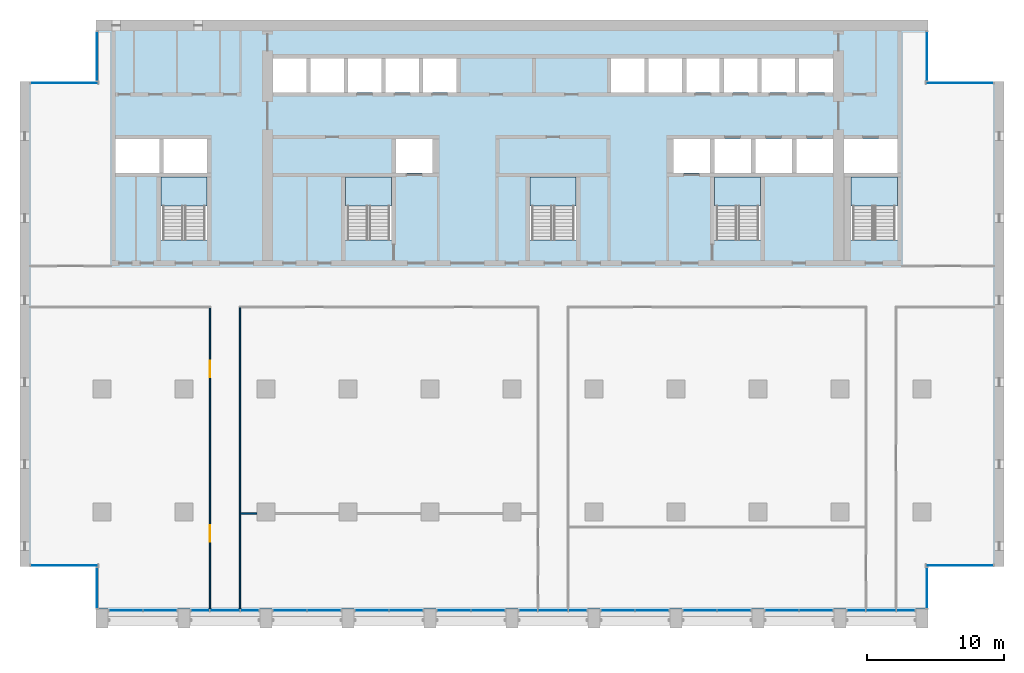
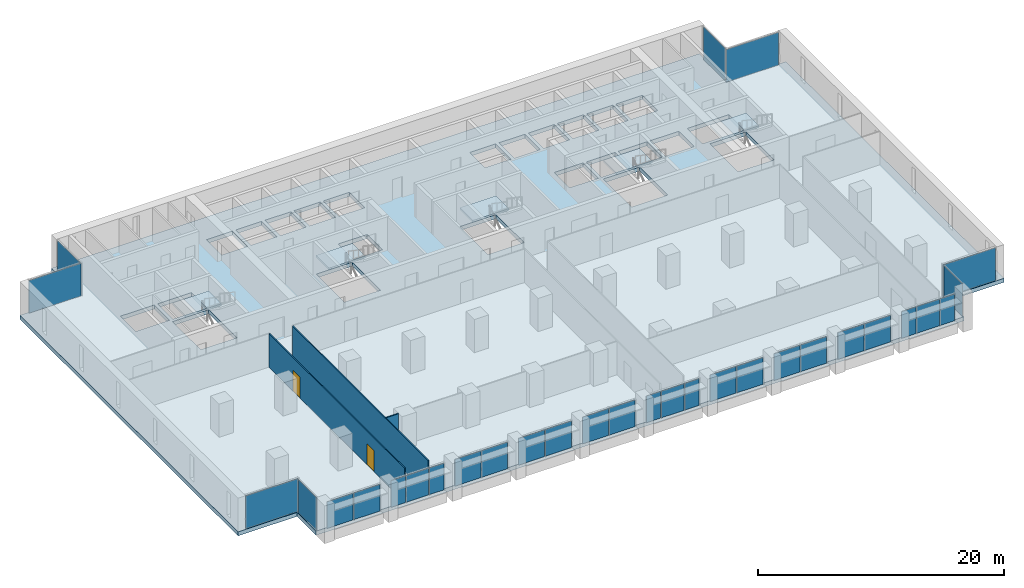
# One storey, part 7 of 15: 31 plates, 6 slabs, 3 walls, 2 doors, 2 openings, 23 elements without a shape of their own.
"""IFC4 building model written with IfcOpenShell, lengths in metres."""

from ifc_helpers import new_model, si_unit, direction, frame, frame_2d, origin, origin_2d, place, context, subcontext, project, spatial, polyline, rectangle, outline, extrude, material, layer, layer_set, type_object, element, fill, aggregate, save


model = new_model("IFC4")

# Units and contexts
model_context = context("Model", 3, precision=1e-05, world=origin(), true_north=direction((0.0, 1.0)))
body_context = subcontext(model_context, "Body", "Model", "MODEL_VIEW")
ifc_project = project(units=[si_unit("LENGTHUNIT", "METRE"), si_unit("AREAUNIT", "SQUARE_METRE"), si_unit("VOLUMEUNIT", "CUBIC_METRE"), si_unit("PLANEANGLEUNIT", "RADIAN"), si_unit("MASSUNIT", "GRAM", prefix="KILO")], contexts=[model_context])

# Site, building, storey
site_placement = place(None, origin())
site = spatial("IfcSite", under=ifc_project, at=site_placement, CompositionType="ELEMENT")
building_placement = place(site_placement, origin())
building = spatial("IfcBuilding", under=site, at=building_placement, Name="Calvaro Tower", CompositionType="ELEMENT")
storey_placement = place(building_placement, frame((0.0, 0.0, 117.5)))
storey = spatial("IfcBuildingStorey", under=building, at=storey_placement, Name="L29", CompositionType="ELEMENT", Elevation=117.5)

# Slab
ifc_material_1 = material(Name="Concrete C40/50", Category="concrete")
ifc_layer_1 = layer(ifc_material_1, 0.39990234375)
ifc_layer_set_1 = layer_set([ifc_layer_1], Name="Concrete C40/50")
slab_type_1 = type_object("IfcSlabType", Name="Floor slab 400 C40/50", PredefinedType="FLOOR", material=ifc_layer_set_1)
slab_1_placement = place(storey_placement, frame((0.0, 0.0, -0.39990234375)))
element("IfcSlab", 1, at=slab_1_placement, inside=storey, type_object=slab_type_1, Name="Floor slab", PredefinedType="FLOOR", context=body_context, shape_type="SweptSolid", body=[
    extrude(outline(polyline([(66.449951171875, 6.0), (66.449951171875, 2.89990234375), (5.550048828125, 2.89990234375), (5.550048828125, 6.0), (0.0, 6.0), (0.0, 41.5), (5.550048828125, 41.5), (5.550048828125, 46.0), (66.449951171875, 46.0), (66.449951171875, 41.5), (72.0, 41.5), (72.0, 6.0), (66.449951171875, 6.0)]), holes=[polyline([(10.300048828125, 29.909912109375), (10.300048828125, 34.5), (12.0, 34.5), (13.699951171875, 34.5), (13.699951171875, 29.909912109375), (12.0, 29.909912109375), (10.300048828125, 29.909912109375)]), polyline([(23.800048828125, 29.909912109375), (23.800048828125, 34.5), (25.5, 34.5), (27.199951171875, 34.5), (27.199951171875, 29.909912109375), (25.5, 29.909912109375), (23.800048828125, 29.909912109375)]), polyline([(37.300048828125, 29.909912109375), (37.300048828125, 34.5), (39.0, 34.5), (40.699951171875, 34.5), (40.699951171875, 29.909912109375), (39.0, 29.909912109375), (37.300048828125, 29.909912109375)]), polyline([(50.800048828125, 29.909912109375), (50.800048828125, 34.5), (52.5, 34.5), (54.199951171875, 34.5), (54.199951171875, 29.909912109375), (52.5, 29.909912109375), (50.800048828125, 29.909912109375)]), polyline([(60.800048828125, 29.909912109375), (60.800048828125, 34.5), (62.5, 34.5), (64.199951171875, 34.5), (64.199951171875, 29.909912109375), (62.5, 29.909912109375), (60.800048828125, 29.909912109375)]), polyline([(50.800048828125, 34.800048828125), (53.5, 34.800048828125), (53.5, 37.300048828125), (50.800048828125, 37.300048828125), (50.800048828125, 34.800048828125)]), polyline([(53.800048828125, 34.800048828125), (56.5, 34.800048828125), (56.5, 37.300048828125), (53.800048828125, 37.300048828125), (53.800048828125, 34.800048828125)]), polyline([(56.800048828125, 34.800048828125), (59.5, 34.800048828125), (59.5, 37.300048828125), (56.800048828125, 37.300048828125), (56.800048828125, 34.800048828125)]), polyline([(18.5, 40.699951171875), (20.949951171875, 40.699951171875), (20.949951171875, 43.199951171875), (18.5, 43.199951171875), (18.5, 40.699951171875)]), polyline([(21.25, 40.699951171875), (23.699951171875, 40.699951171875), (23.699951171875, 43.199951171875), (21.25, 43.199951171875), (21.25, 40.699951171875)]), polyline([(24.0, 40.699951171875), (26.449951171875, 40.699951171875), (26.449951171875, 43.199951171875), (24.0, 43.199951171875), (24.0, 40.699951171875)]), polyline([(26.75, 40.699951171875), (29.199951171875, 40.699951171875), (29.199951171875, 43.199951171875), (26.75, 43.199951171875), (26.75, 40.699951171875)]), polyline([(29.5, 40.699951171875), (31.949951171875, 40.699951171875), (31.949951171875, 43.199951171875), (29.5, 43.199951171875), (29.5, 40.699951171875)]), polyline([(43.25, 40.699951171875), (45.699951171875, 40.699951171875), (45.699951171875, 43.199951171875), (43.25, 43.199951171875), (43.25, 40.699951171875)]), polyline([(46.0, 40.699951171875), (48.449951171875, 40.699951171875), (48.449951171875, 43.199951171875), (46.0, 43.199951171875), (46.0, 40.699951171875)]), polyline([(48.75, 40.699951171875), (51.199951171875, 40.699951171875), (51.199951171875, 43.199951171875), (48.75, 43.199951171875), (48.75, 40.699951171875)]), polyline([(51.5, 40.699951171875), (53.949951171875, 40.699951171875), (53.949951171875, 43.199951171875), (51.5, 43.199951171875), (51.5, 40.699951171875)]), polyline([(54.25, 40.699951171875), (56.699951171875, 40.699951171875), (56.699951171875, 43.199951171875), (54.25, 43.199951171875), (54.25, 40.699951171875)]), polyline([(57.0, 40.699951171875), (59.5, 40.699951171875), (59.5, 43.199951171875), (57.0, 43.199951171875), (57.0, 40.699951171875)]), polyline([(7.0, 34.800048828125), (10.199951171875, 34.800048828125), (10.199951171875, 37.300048828125), (7.0, 37.300048828125), (7.0, 34.800048828125)]), polyline([(10.5, 34.800048828125), (13.699951171875, 34.800048828125), (13.699951171875, 37.300048828125), (10.5, 37.300048828125), (10.5, 34.800048828125)]), polyline([(60.300048828125, 34.800048828125), (64.199951171875, 34.800048828125), (64.199951171875, 37.300048828125), (60.300048828125, 37.300048828125), (60.300048828125, 34.800048828125)]), polyline([(27.5, 34.800048828125), (30.199951171875, 34.800048828125), (30.199951171875, 37.300048828125), (27.5, 37.300048828125), (27.5, 34.800048828125)]), polyline([(47.800048828125, 34.800048828125), (50.5, 34.800048828125), (50.5, 37.300048828125), (47.800048828125, 37.300048828125), (47.800048828125, 34.800048828125)])]), origin(), (0.0, 0.0, 1.0), 0.39990234375),
])

# Curtain wall, plates
ifc_material_2 = material(Name="Anodised aluminium", Category="aluminium")
curtain_wall_type = type_object("IfcCurtainWallType", Name="Office curtain wall, middle zone", PredefinedType="NOTDEFINED", material=ifc_material_2)
curtain_wall_1_placement = place(storey_placement, origin())
curtain_wall_1 = element("IfcCurtainWall", 2, at=curtain_wall_1_placement, inside=storey, type_object=curtain_wall_type, Name="CW2 south curtain wall", PredefinedType="NOTDEFINED")
ifc_material_3 = material(Name="Glass", Category="glass")
ifc_layer_2 = layer(ifc_material_3, 0.031982421875)
ifc_layer_set_2 = layer_set([ifc_layer_2], Name="Glass")
plate_type = type_object("IfcPlateType", Name="Glass panel S2 32", PredefinedType="CURTAIN_PANEL", material=ifc_layer_set_2)
plate_1_placement = place(storey_placement, frame((7.742431640625, 2.800048828125, 0.0), z_axis=(0.0, 0.0, 1.0), x_axis=(1.0, 0.0, 0.0)))
plate_1 = element("IfcPlate", 3, at=plate_1_placement, type_object=plate_type, Name="CW2 glass panel 1.1", PredefinedType="CURTAIN_PANEL", context=body_context, shape_type="SweptSolid", body=[
    extrude(rectangle(XDim=2.445068359375, YDim=0.031982421875, at=origin_2d()), origin(), (0.0, 0.0, 1.0), 2.64990234375),
])
plate_2_placement = place(storey_placement, frame((10.257568359375, 2.800048828125, 0.0), z_axis=(0.0, 0.0, 1.0), x_axis=(1.0, 0.0, 0.0)))
plate_2 = element("IfcPlate", 4, at=plate_2_placement, type_object=plate_type, Name="CW2 glass panel 2.1", PredefinedType="CURTAIN_PANEL", context=body_context, shape_type="SweptSolid", body=[
    extrude(rectangle(XDim=2.445068359375, YDim=0.031982421875, at=origin_2d()), origin(), (0.0, 0.0, 1.0), 2.64990234375),
])
aggregate(curtain_wall_1, [plate_1, plate_2])

curtain_wall_2_placement = place(storey_placement, origin())
curtain_wall_2 = element("IfcCurtainWall", 5, at=curtain_wall_2_placement, inside=storey, type_object=curtain_wall_type, Name="CW2 south curtain wall", PredefinedType="NOTDEFINED")
plate_3_placement = place(storey_placement, frame((13.1923828125, 2.800048828125, 0.0), z_axis=(0.0, 0.0, 1.0), x_axis=(1.0, 0.0, 0.0)))
plate_3 = element("IfcPlate", 6, at=plate_3_placement, type_object=plate_type, Name="CW2 glass panel 1.1", PredefinedType="CURTAIN_PANEL", context=body_context, shape_type="SweptSolid", body=[
    extrude(rectangle(XDim=1.344970703125, YDim=0.031982421875, at=origin_2d()), origin(), (0.0, 0.0, 1.0), 2.64990234375),
])
plate_4_placement = place(storey_placement, frame((15.0, 2.800048828125, 0.0), z_axis=(0.0, 0.0, 1.0), x_axis=(1.0, 0.0, 0.0)))
plate_4 = element("IfcPlate", 7, at=plate_4_placement, type_object=plate_type, Name="CW2 glass panel 2.1", PredefinedType="CURTAIN_PANEL", context=body_context, shape_type="SweptSolid", body=[
    extrude(rectangle(XDim=2.1298828125, YDim=0.031982421875, at=origin_2d()), origin(), (0.0, 0.0, 1.0), 2.64990234375),
])
plate_5_placement = place(storey_placement, frame((16.8076171875, 2.800048828125, 0.0), z_axis=(0.0, 0.0, 1.0), x_axis=(1.0, 0.0, 0.0)))
plate_5 = element("IfcPlate", 8, at=plate_5_placement, type_object=plate_type, Name="CW2 glass panel 3.1", PredefinedType="CURTAIN_PANEL", context=body_context, shape_type="SweptSolid", body=[
    extrude(rectangle(XDim=1.344970703125, YDim=0.031982421875, at=origin_2d()), origin(), (0.0, 0.0, 1.0), 2.64990234375),
])
aggregate(curtain_wall_2, [plate_3, plate_4, plate_5])

curtain_wall_3_placement = place(storey_placement, origin())
curtain_wall_3 = element("IfcCurtainWall", 9, at=curtain_wall_3_placement, inside=storey, type_object=curtain_wall_type, Name="CW2 south curtain wall", PredefinedType="NOTDEFINED")
plate_6_placement = place(storey_placement, frame((19.742431640625, 2.800048828125, 0.0), z_axis=(0.0, 0.0, 1.0), x_axis=(1.0, 0.0, 0.0)))
plate_6 = element("IfcPlate", 10, at=plate_6_placement, type_object=plate_type, Name="CW2 glass panel 1.1", PredefinedType="CURTAIN_PANEL", context=body_context, shape_type="SweptSolid", body=[
    extrude(rectangle(XDim=2.445068359375, YDim=0.031982421875, at=origin_2d()), origin(), (0.0, 0.0, 1.0), 2.64990234375),
])
plate_7_placement = place(storey_placement, frame((22.257568359375, 2.800048828125, 0.0), z_axis=(0.0, 0.0, 1.0), x_axis=(1.0, 0.0, 0.0)))
plate_7 = element("IfcPlate", 11, at=plate_7_placement, type_object=plate_type, Name="CW2 glass panel 2.1", PredefinedType="CURTAIN_PANEL", context=body_context, shape_type="SweptSolid", body=[
    extrude(rectangle(XDim=2.445068359375, YDim=0.031982421875, at=origin_2d()), origin(), (0.0, 0.0, 1.0), 2.64990234375),
])
aggregate(curtain_wall_3, [plate_6, plate_7])

curtain_wall_4_placement = place(storey_placement, origin())
curtain_wall_4 = element("IfcCurtainWall", 12, at=curtain_wall_4_placement, inside=storey, type_object=curtain_wall_type, Name="CW2 south curtain wall", PredefinedType="NOTDEFINED")
plate_8_placement = place(storey_placement, frame((25.742431640625, 2.800048828125, 0.0), z_axis=(0.0, 0.0, 1.0), x_axis=(1.0, 0.0, 0.0)))
plate_8 = element("IfcPlate", 13, at=plate_8_placement, type_object=plate_type, Name="CW2 glass panel 1.1", PredefinedType="CURTAIN_PANEL", context=body_context, shape_type="SweptSolid", body=[
    extrude(rectangle(XDim=2.445068359375, YDim=0.031982421875, at=origin_2d()), origin(), (0.0, 0.0, 1.0), 2.64990234375),
])
plate_9_placement = place(storey_placement, frame((28.257568359375, 2.800048828125, 0.0), z_axis=(0.0, 0.0, 1.0), x_axis=(1.0, 0.0, 0.0)))
plate_9 = element("IfcPlate", 14, at=plate_9_placement, type_object=plate_type, Name="CW2 glass panel 2.1", PredefinedType="CURTAIN_PANEL", context=body_context, shape_type="SweptSolid", body=[
    extrude(rectangle(XDim=2.445068359375, YDim=0.031982421875, at=origin_2d()), origin(), (0.0, 0.0, 1.0), 2.64990234375),
])
aggregate(curtain_wall_4, [plate_8, plate_9])

curtain_wall_5_placement = place(storey_placement, origin())
curtain_wall_5 = element("IfcCurtainWall", 15, at=curtain_wall_5_placement, inside=storey, type_object=curtain_wall_type, Name="CW2 south curtain wall", PredefinedType="NOTDEFINED")
plate_10_placement = place(storey_placement, frame((31.742431640625, 2.800048828125, 0.0), z_axis=(0.0, 0.0, 1.0), x_axis=(1.0, 0.0, 0.0)))
plate_10 = element("IfcPlate", 16, at=plate_10_placement, type_object=plate_type, Name="CW2 glass panel 1.1", PredefinedType="CURTAIN_PANEL", context=body_context, shape_type="SweptSolid", body=[
    extrude(rectangle(XDim=2.445068359375, YDim=0.031982421875, at=origin_2d()), origin(), (0.0, 0.0, 1.0), 2.64990234375),
])
plate_11_placement = place(storey_placement, frame((34.257568359375, 2.800048828125, 0.0), z_axis=(0.0, 0.0, 1.0), x_axis=(1.0, 0.0, 0.0)))
plate_11 = element("IfcPlate", 17, at=plate_11_placement, type_object=plate_type, Name="CW2 glass panel 2.1", PredefinedType="CURTAIN_PANEL", context=body_context, shape_type="SweptSolid", body=[
    extrude(rectangle(XDim=2.445068359375, YDim=0.031982421875, at=origin_2d()), origin(), (0.0, 0.0, 1.0), 2.64990234375),
])
aggregate(curtain_wall_5, [plate_10, plate_11])

curtain_wall_6_placement = place(storey_placement, origin())
curtain_wall_6 = element("IfcCurtainWall", 18, at=curtain_wall_6_placement, inside=storey, type_object=curtain_wall_type, Name="CW2 south curtain wall", PredefinedType="NOTDEFINED")
plate_12_placement = place(storey_placement, frame((37.1923828125, 2.800048828125, 0.0), z_axis=(0.0, 0.0, 1.0), x_axis=(1.0, 0.0, 0.0)))
plate_12 = element("IfcPlate", 19, at=plate_12_placement, type_object=plate_type, Name="CW2 glass panel 1.1", PredefinedType="CURTAIN_PANEL", context=body_context, shape_type="SweptSolid", body=[
    extrude(rectangle(XDim=1.344970703125, YDim=0.031982421875, at=origin_2d()), origin(), (0.0, 0.0, 1.0), 2.64990234375),
])
plate_13_placement = place(storey_placement, frame((39.0, 2.800048828125, 0.0), z_axis=(0.0, 0.0, 1.0), x_axis=(1.0, 0.0, 0.0)))
plate_13 = element("IfcPlate", 20, at=plate_13_placement, type_object=plate_type, Name="CW2 glass panel 2.1", PredefinedType="CURTAIN_PANEL", context=body_context, shape_type="SweptSolid", body=[
    extrude(rectangle(XDim=2.1298828125, YDim=0.031982421875, at=origin_2d()), origin(), (0.0, 0.0, 1.0), 2.64990234375),
])
plate_14_placement = place(storey_placement, frame((40.8076171875, 2.800048828125, 0.0), z_axis=(0.0, 0.0, 1.0), x_axis=(1.0, 0.0, 0.0)))
plate_14 = element("IfcPlate", 21, at=plate_14_placement, type_object=plate_type, Name="CW2 glass panel 3.1", PredefinedType="CURTAIN_PANEL", context=body_context, shape_type="SweptSolid", body=[
    extrude(rectangle(XDim=1.344970703125, YDim=0.031982421875, at=origin_2d()), origin(), (0.0, 0.0, 1.0), 2.64990234375),
])
aggregate(curtain_wall_6, [plate_12, plate_13, plate_14])

curtain_wall_7_placement = place(storey_placement, origin())
curtain_wall_7 = element("IfcCurtainWall", 22, at=curtain_wall_7_placement, inside=storey, type_object=curtain_wall_type, Name="CW2 south curtain wall", PredefinedType="NOTDEFINED")
plate_15_placement = place(storey_placement, frame((43.742431640625, 2.800048828125, 0.0), z_axis=(0.0, 0.0, 1.0), x_axis=(1.0, 0.0, 0.0)))
plate_15 = element("IfcPlate", 23, at=plate_15_placement, type_object=plate_type, Name="CW2 glass panel 1.1", PredefinedType="CURTAIN_PANEL", context=body_context, shape_type="SweptSolid", body=[
    extrude(rectangle(XDim=2.445068359375, YDim=0.031982421875, at=origin_2d()), origin(), (0.0, 0.0, 1.0), 2.64990234375),
])
plate_16_placement = place(storey_placement, frame((46.257568359375, 2.800048828125, 0.0), z_axis=(0.0, 0.0, 1.0), x_axis=(1.0, 0.0, 0.0)))
plate_16 = element("IfcPlate", 24, at=plate_16_placement, type_object=plate_type, Name="CW2 glass panel 2.1", PredefinedType="CURTAIN_PANEL", context=body_context, shape_type="SweptSolid", body=[
    extrude(rectangle(XDim=2.445068359375, YDim=0.031982421875, at=origin_2d()), origin(), (0.0, 0.0, 1.0), 2.64990234375),
])
aggregate(curtain_wall_7, [plate_15, plate_16])

curtain_wall_8_placement = place(storey_placement, origin())
curtain_wall_8 = element("IfcCurtainWall", 25, at=curtain_wall_8_placement, inside=storey, type_object=curtain_wall_type, Name="CW2 south curtain wall", PredefinedType="NOTDEFINED")
plate_17_placement = place(storey_placement, frame((49.742431640625, 2.800048828125, 0.0), z_axis=(0.0, 0.0, 1.0), x_axis=(1.0, 0.0, 0.0)))
plate_17 = element("IfcPlate", 26, at=plate_17_placement, type_object=plate_type, Name="CW2 glass panel 1.1", PredefinedType="CURTAIN_PANEL", context=body_context, shape_type="SweptSolid", body=[
    extrude(rectangle(XDim=2.445068359375, YDim=0.031982421875, at=origin_2d()), origin(), (0.0, 0.0, 1.0), 2.64990234375),
])
plate_18_placement = place(storey_placement, frame((52.257568359375, 2.800048828125, 0.0), z_axis=(0.0, 0.0, 1.0), x_axis=(1.0, 0.0, 0.0)))
plate_18 = element("IfcPlate", 27, at=plate_18_placement, type_object=plate_type, Name="CW2 glass panel 2.1", PredefinedType="CURTAIN_PANEL", context=body_context, shape_type="SweptSolid", body=[
    extrude(rectangle(XDim=2.445068359375, YDim=0.031982421875, at=origin_2d()), origin(), (0.0, 0.0, 1.0), 2.64990234375),
])
aggregate(curtain_wall_8, [plate_17, plate_18])

curtain_wall_9_placement = place(storey_placement, origin())
curtain_wall_9 = element("IfcCurtainWall", 28, at=curtain_wall_9_placement, inside=storey, type_object=curtain_wall_type, Name="CW2 south curtain wall", PredefinedType="NOTDEFINED")
plate_19_placement = place(storey_placement, frame((55.742431640625, 2.800048828125, 0.0), z_axis=(0.0, 0.0, 1.0), x_axis=(1.0, 0.0, 0.0)))
plate_19 = element("IfcPlate", 29, at=plate_19_placement, type_object=plate_type, Name="CW2 glass panel 1.1", PredefinedType="CURTAIN_PANEL", context=body_context, shape_type="SweptSolid", body=[
    extrude(rectangle(XDim=2.445068359375, YDim=0.031982421875, at=origin_2d()), origin(), (0.0, 0.0, 1.0), 2.64990234375),
])
plate_20_placement = place(storey_placement, frame((58.257568359375, 2.800048828125, 0.0), z_axis=(0.0, 0.0, 1.0), x_axis=(1.0, 0.0, 0.0)))
plate_20 = element("IfcPlate", 30, at=plate_20_placement, type_object=plate_type, Name="CW2 glass panel 2.1", PredefinedType="CURTAIN_PANEL", context=body_context, shape_type="SweptSolid", body=[
    extrude(rectangle(XDim=2.445068359375, YDim=0.031982421875, at=origin_2d()), origin(), (0.0, 0.0, 1.0), 2.64990234375),
])
aggregate(curtain_wall_9, [plate_19, plate_20])

curtain_wall_10_placement = place(storey_placement, origin())
curtain_wall_10 = element("IfcCurtainWall", 31, at=curtain_wall_10_placement, inside=storey, type_object=curtain_wall_type, Name="CW2 south curtain wall", PredefinedType="NOTDEFINED")
plate_21_placement = place(storey_placement, frame((61.1923828125, 2.800048828125, 0.0), z_axis=(0.0, 0.0, 1.0), x_axis=(1.0, 0.0, 0.0)))
plate_21 = element("IfcPlate", 32, at=plate_21_placement, type_object=plate_type, Name="CW2 glass panel 1.1", PredefinedType="CURTAIN_PANEL", context=body_context, shape_type="SweptSolid", body=[
    extrude(rectangle(XDim=1.344970703125, YDim=0.031982421875, at=origin_2d()), origin(), (0.0, 0.0, 1.0), 2.64990234375),
])
plate_22_placement = place(storey_placement, frame((63.0, 2.800048828125, 0.0), z_axis=(0.0, 0.0, 1.0), x_axis=(1.0, 0.0, 0.0)))
plate_22 = element("IfcPlate", 33, at=plate_22_placement, type_object=plate_type, Name="CW2 glass panel 2.1", PredefinedType="CURTAIN_PANEL", context=body_context, shape_type="SweptSolid", body=[
    extrude(rectangle(XDim=2.1298828125, YDim=0.031982421875, at=origin_2d()), origin(), (0.0, 0.0, 1.0), 2.64990234375),
])
plate_23_placement = place(storey_placement, frame((64.8076171875, 2.800048828125, 0.0), z_axis=(0.0, 0.0, 1.0), x_axis=(1.0, 0.0, 0.0)))
plate_23 = element("IfcPlate", 34, at=plate_23_placement, type_object=plate_type, Name="CW2 glass panel 3.1", PredefinedType="CURTAIN_PANEL", context=body_context, shape_type="SweptSolid", body=[
    extrude(rectangle(XDim=1.344970703125, YDim=0.031982421875, at=origin_2d()), origin(), (0.0, 0.0, 1.0), 2.64990234375),
])
aggregate(curtain_wall_10, [plate_21, plate_22, plate_23])

# Curtain wall, plate
curtain_wall_11_placement = place(storey_placement, origin())
curtain_wall_11 = element("IfcCurtainWall", 35, at=curtain_wall_11_placement, inside=storey, type_object=curtain_wall_type, Name="CW2 corner curtain wall", PredefinedType="NOTDEFINED")
plate_24_placement = place(storey_placement, frame((5.64990234375, 4.449951171875, 0.0), z_axis=(0.0, 0.0, 1.0), x_axis=(0.0, 1.0, 0.0)))
plate_24 = element("IfcPlate", 36, at=plate_24_placement, type_object=plate_type, Name="CW2 glass panel 1.1", PredefinedType="CURTAIN_PANEL", context=body_context, shape_type="SweptSolid", body=[
    extrude(rectangle(XDim=2.9599609375, YDim=0.031982421875, at=origin_2d()), origin(), (0.0, 0.0, 1.0), 3.25),
])
aggregate(curtain_wall_11, [plate_24])

curtain_wall_12_placement = place(storey_placement, origin())
curtain_wall_12 = element("IfcCurtainWall", 37, at=curtain_wall_12_placement, inside=storey, type_object=curtain_wall_type, Name="CW2 corner curtain wall", PredefinedType="NOTDEFINED")
plate_25_placement = place(storey_placement, frame((3.22509765625, 6.10009765625, 0.0), z_axis=(0.0, 0.0, 1.0), x_axis=(1.0, 0.0, 0.0)))
plate_25 = element("IfcPlate", 38, at=plate_25_placement, type_object=plate_type, Name="CW2 glass panel 1.1", PredefinedType="CURTAIN_PANEL", context=body_context, shape_type="SweptSolid", body=[
    extrude(rectangle(XDim=4.909912109375, YDim=0.031982421875, at=origin_2d()), origin(), (0.0, 0.0, 1.0), 3.25),
])
aggregate(curtain_wall_12, [plate_25])

curtain_wall_13_placement = place(storey_placement, origin())
curtain_wall_13 = element("IfcCurtainWall", 39, at=curtain_wall_13_placement, inside=storey, type_object=curtain_wall_type, Name="CW2 corner curtain wall", PredefinedType="NOTDEFINED")
plate_26_placement = place(storey_placement, frame((5.64990234375, 43.35009765625, 0.0), z_axis=(0.0, 0.0, 1.0), x_axis=(0.0, 1.0, 0.0)))
plate_26 = element("IfcPlate", 40, at=plate_26_placement, type_object=plate_type, Name="CW2 glass panel 1.1", PredefinedType="CURTAIN_PANEL", context=body_context, shape_type="SweptSolid", body=[
    extrude(rectangle(XDim=3.56005859375, YDim=0.031982421875, at=origin_2d()), origin(), (0.0, 0.0, 1.0), 3.25),
])
aggregate(curtain_wall_13, [plate_26])

curtain_wall_14_placement = place(storey_placement, origin())
curtain_wall_14 = element("IfcCurtainWall", 41, at=curtain_wall_14_placement, inside=storey, type_object=curtain_wall_type, Name="CW2 corner curtain wall", PredefinedType="NOTDEFINED")
plate_27_placement = place(storey_placement, frame((3.22509765625, 41.39990234375, 0.0), z_axis=(0.0, 0.0, 1.0), x_axis=(1.0, 0.0, 0.0)))
plate_27 = element("IfcPlate", 42, at=plate_27_placement, type_object=plate_type, Name="CW2 glass panel 1.1", PredefinedType="CURTAIN_PANEL", context=body_context, shape_type="SweptSolid", body=[
    extrude(rectangle(XDim=4.909912109375, YDim=0.031982421875, at=origin_2d()), origin(), (0.0, 0.0, 1.0), 3.25),
])
aggregate(curtain_wall_14, [plate_27])

curtain_wall_15_placement = place(storey_placement, origin())
curtain_wall_15 = element("IfcCurtainWall", 43, at=curtain_wall_15_placement, inside=storey, type_object=curtain_wall_type, Name="CW2 corner curtain wall", PredefinedType="NOTDEFINED")
plate_28_placement = place(storey_placement, frame((66.35009765625, 4.449951171875, 0.0), z_axis=(0.0, 0.0, 1.0), x_axis=(0.0, 1.0, 0.0)))
plate_28 = element("IfcPlate", 44, at=plate_28_placement, type_object=plate_type, Name="CW2 glass panel 1.1", PredefinedType="CURTAIN_PANEL", context=body_context, shape_type="SweptSolid", body=[
    extrude(rectangle(XDim=2.9599609375, YDim=0.031982421875, at=origin_2d()), origin(), (0.0, 0.0, 1.0), 3.25),
])
aggregate(curtain_wall_15, [plate_28])

curtain_wall_16_placement = place(storey_placement, origin())
curtain_wall_16 = element("IfcCurtainWall", 45, at=curtain_wall_16_placement, inside=storey, type_object=curtain_wall_type, Name="CW2 corner curtain wall", PredefinedType="NOTDEFINED")
plate_29_placement = place(storey_placement, frame((68.77490234375, 6.10009765625, 0.0), z_axis=(0.0, 0.0, 1.0), x_axis=(1.0, 0.0, 0.0)))
plate_29 = element("IfcPlate", 46, at=plate_29_placement, type_object=plate_type, Name="CW2 glass panel 1.1", PredefinedType="CURTAIN_PANEL", context=body_context, shape_type="SweptSolid", body=[
    extrude(rectangle(XDim=4.909912109375, YDim=0.031982421875, at=origin_2d()), origin(), (0.0, 0.0, 1.0), 3.25),
])
aggregate(curtain_wall_16, [plate_29])

curtain_wall_17_placement = place(storey_placement, origin())
curtain_wall_17 = element("IfcCurtainWall", 47, at=curtain_wall_17_placement, inside=storey, type_object=curtain_wall_type, Name="CW2 corner curtain wall", PredefinedType="NOTDEFINED")
plate_30_placement = place(storey_placement, frame((66.35009765625, 43.35009765625, 0.0), z_axis=(0.0, 0.0, 1.0), x_axis=(0.0, 1.0, 0.0)))
plate_30 = element("IfcPlate", 48, at=plate_30_placement, type_object=plate_type, Name="CW2 glass panel 1.1", PredefinedType="CURTAIN_PANEL", context=body_context, shape_type="SweptSolid", body=[
    extrude(rectangle(XDim=3.56005859375, YDim=0.031982421875, at=origin_2d()), origin(), (0.0, 0.0, 1.0), 3.25),
])
aggregate(curtain_wall_17, [plate_30])

curtain_wall_18_placement = place(storey_placement, origin())
curtain_wall_18 = element("IfcCurtainWall", 49, at=curtain_wall_18_placement, inside=storey, type_object=curtain_wall_type, Name="CW2 corner curtain wall", PredefinedType="NOTDEFINED")
plate_31_placement = place(storey_placement, frame((68.77490234375, 41.39990234375, 0.0), z_axis=(0.0, 0.0, 1.0), x_axis=(1.0, 0.0, 0.0)))
plate_31 = element("IfcPlate", 50, at=plate_31_placement, type_object=plate_type, Name="CW2 glass panel 1.1", PredefinedType="CURTAIN_PANEL", context=body_context, shape_type="SweptSolid", body=[
    extrude(rectangle(XDim=4.909912109375, YDim=0.031982421875, at=origin_2d()), origin(), (0.0, 0.0, 1.0), 3.25),
])
aggregate(curtain_wall_18, [plate_31])

# Stair, slab
ifc_material_4 = material(Name="Concrete C40/50", Category="concrete")
stair_type = type_object("IfcStairType", Name="Exit stair 1400 2 flights", PredefinedType="HALF_TURN_STAIR", material=ifc_material_4)
stair_1_placement = place(storey_placement, origin())
stair_1 = element("IfcStair", 51, at=stair_1_placement, inside=storey, type_object=stair_type, Name="Exit stair S1", PredefinedType="HALF_TURN_STAIR")
ifc_material_5 = material(Name="Concrete C40/50", Category="concrete")
ifc_layer_3 = layer(ifc_material_5, 0.199951171875)
ifc_layer_set_3 = layer_set([ifc_layer_3], Name="Concrete C40/50")
slab_type_2 = type_object("IfcSlabType", Name="Stair landing", PredefinedType="LANDING", material=ifc_layer_set_3)
slab_2_placement = place(storey_placement, frame((0.0, 0.0, 1.675048828125)))
slab_2 = element("IfcSlab", 52, at=slab_2_placement, type_object=slab_type_2, Name="Exit stair 1, landing 1", PredefinedType="LANDING", context=body_context, shape_type="SweptSolid", body=[
    extrude(outline(polyline([(11.89990234375, 32.389892578125), (10.5, 32.389892578125), (10.5, 32.39990234375), (10.300048828125, 32.39990234375), (10.300048828125, 34.5), (10.5, 34.5), (11.89990234375, 34.5), (12.10009765625, 34.5), (13.5, 34.5), (13.699951171875, 34.5), (13.699951171875, 32.39990234375), (13.5, 32.39990234375), (13.5, 32.389892578125), (12.10009765625, 32.389892578125), (12.10009765625, 32.39990234375), (11.89990234375, 32.39990234375), (11.89990234375, 32.389892578125)])), origin(), (0.0, 0.0, 1.0), 0.199951171875),
])
aggregate(stair_1, [slab_2])

stair_2_placement = place(storey_placement, origin())
stair_2 = element("IfcStair", 53, at=stair_2_placement, inside=storey, type_object=stair_type, Name="Exit stair S2", PredefinedType="HALF_TURN_STAIR")
slab_3_placement = place(storey_placement, frame((0.0, 0.0, 1.675048828125)))
slab_3 = element("IfcSlab", 54, at=slab_3_placement, type_object=slab_type_2, Name="Exit stair 2, landing 1", PredefinedType="LANDING", context=body_context, shape_type="SweptSolid", body=[
    extrude(outline(polyline([(25.39990234375, 32.389892578125), (24.0, 32.389892578125), (24.0, 32.39990234375), (23.800048828125, 32.39990234375), (23.800048828125, 34.5), (24.0, 34.5), (25.39990234375, 34.5), (25.60009765625, 34.5), (27.0, 34.5), (27.199951171875, 34.5), (27.199951171875, 32.39990234375), (27.0, 32.39990234375), (27.0, 32.389892578125), (25.60009765625, 32.389892578125), (25.60009765625, 32.39990234375), (25.39990234375, 32.39990234375), (25.39990234375, 32.389892578125)])), origin(), (0.0, 0.0, 1.0), 0.199951171875),
])
aggregate(stair_2, [slab_3])

stair_3_placement = place(storey_placement, origin())
stair_3 = element("IfcStair", 55, at=stair_3_placement, inside=storey, type_object=stair_type, Name="Exit stair S3", PredefinedType="HALF_TURN_STAIR")
slab_4_placement = place(storey_placement, frame((0.0, 0.0, 1.675048828125)))
slab_4 = element("IfcSlab", 56, at=slab_4_placement, type_object=slab_type_2, Name="Exit stair 3, landing 1", PredefinedType="LANDING", context=body_context, shape_type="SweptSolid", body=[
    extrude(outline(polyline([(38.89990234375, 32.389892578125), (37.5, 32.389892578125), (37.5, 32.39990234375), (37.300048828125, 32.39990234375), (37.300048828125, 34.5), (37.5, 34.5), (38.89990234375, 34.5), (39.10009765625, 34.5), (40.5, 34.5), (40.699951171875, 34.5), (40.699951171875, 32.39990234375), (40.5, 32.39990234375), (40.5, 32.389892578125), (39.10009765625, 32.389892578125), (39.10009765625, 32.39990234375), (38.89990234375, 32.39990234375), (38.89990234375, 32.389892578125)])), origin(), (0.0, 0.0, 1.0), 0.199951171875),
])
aggregate(stair_3, [slab_4])

stair_4_placement = place(storey_placement, origin())
stair_4 = element("IfcStair", 57, at=stair_4_placement, inside=storey, type_object=stair_type, Name="Exit stair S4", PredefinedType="HALF_TURN_STAIR")
slab_5_placement = place(storey_placement, frame((0.0, 0.0, 1.675048828125)))
slab_5 = element("IfcSlab", 58, at=slab_5_placement, type_object=slab_type_2, Name="Exit stair 4, landing 1", PredefinedType="LANDING", context=body_context, shape_type="SweptSolid", body=[
    extrude(outline(polyline([(52.39990234375, 32.389892578125), (51.0, 32.389892578125), (51.0, 32.39990234375), (50.800048828125, 32.39990234375), (50.800048828125, 34.5), (51.0, 34.5), (52.39990234375, 34.5), (52.60009765625, 34.5), (54.0, 34.5), (54.199951171875, 34.5), (54.199951171875, 32.39990234375), (54.0, 32.39990234375), (54.0, 32.389892578125), (52.60009765625, 32.389892578125), (52.60009765625, 32.39990234375), (52.39990234375, 32.39990234375), (52.39990234375, 32.389892578125)])), origin(), (0.0, 0.0, 1.0), 0.199951171875),
])
aggregate(stair_4, [slab_5])

stair_5_placement = place(storey_placement, origin())
stair_5 = element("IfcStair", 59, at=stair_5_placement, inside=storey, type_object=stair_type, Name="Exit stair S5", PredefinedType="HALF_TURN_STAIR")
slab_6_placement = place(storey_placement, frame((0.0, 0.0, 1.675048828125)))
slab_6 = element("IfcSlab", 60, at=slab_6_placement, type_object=slab_type_2, Name="Exit stair 5, landing 1", PredefinedType="LANDING", context=body_context, shape_type="SweptSolid", body=[
    extrude(outline(polyline([(62.39990234375, 32.389892578125), (61.0, 32.389892578125), (61.0, 32.39990234375), (60.800048828125, 32.39990234375), (60.800048828125, 34.5), (61.0, 34.5), (62.39990234375, 34.5), (62.60009765625, 34.5), (64.0, 34.5), (64.199951171875, 34.5), (64.199951171875, 32.39990234375), (64.0, 32.39990234375), (64.0, 32.389892578125), (62.60009765625, 32.389892578125), (62.60009765625, 32.39990234375), (62.39990234375, 32.39990234375), (62.39990234375, 32.389892578125)])), origin(), (0.0, 0.0, 1.0), 0.199951171875),
])
aggregate(stair_5, [slab_6])

# Wall
ifc_material_6 = material(Name="Plasterboard on steel studs", Category="steel")
ifc_layer_4 = layer(ifc_material_6, 0.10009765625)
ifc_layer_set_4 = layer_set([ifc_layer_4], Name="Plasterboard on steel studs")
wall_type = type_object("IfcWallType", Name="Partition 100", PredefinedType="PARTITIONING", material=ifc_layer_set_4)
wall_1_placement = place(storey_placement, frame((16.14990234375, 9.89990234375, 0.0), z_axis=(0.0, 0.0, 1.0), x_axis=(1.0, 0.0, 0.0)))
element("IfcWall", 61, at=wall_1_placement, inside=storey, type_object=wall_type, Name="Partition T18.W006", PredefinedType="PARTITIONING", context=body_context, shape_type="SweptSolid", body=[
    extrude(rectangle(XDim=1.175048828125, YDim=0.10009765625, at=frame_2d((0.58740234375, 0.0))), origin(), (0.0, 0.0, 1.0), 3.35009765625),
])

# Wall, openings, doors
wall_2_placement = place(storey_placement, frame((13.89990234375, 2.89990234375, 0.0), z_axis=(0.0, 0.0, 1.0), x_axis=(0.0, 1.0, 0.0)))
wall_2 = element("IfcWall", 62, at=wall_2_placement, inside=storey, type_object=wall_type, Name="Partition T18.W013", PredefinedType="PARTITIONING", context=body_context, shape_type="SweptSolid", body=[
    extrude(rectangle(XDim=22.050048828125, YDim=0.10009765625, at=frame_2d((11.02490234375, 0.0))), origin(), (0.0, 0.0, 1.0), 3.35009765625),
])
opening_1_placement = place(wall_2_placement, frame((4.925048828125, 0.0, 0.0)))
opening_1 = element("IfcOpeningElement", 63, at=opening_1_placement, cuts=wall_2, Name="Opening T18.004", PredefinedType="OPENING", context=body_context, shape_type="SweptSolid", body=[
    extrude(rectangle(XDim=1.199951171875, YDim=2.10009765625, at=frame_2d((0.60009765625, 1.050048828125))), frame((0.0, 0.06005859375, 0.0), z_axis=(0.0, -1.0, 0.0), x_axis=(1.0, 0.0, 0.0)), (0.0, 0.0, 1.0), 0.1201171875),
])
opening_2_placement = place(wall_2_placement, frame((16.97509765625, 0.0, 0.0)))
opening_2 = element("IfcOpeningElement", 64, at=opening_2_placement, cuts=wall_2, Name="Opening T18.005", PredefinedType="OPENING", context=body_context, shape_type="SweptSolid", body=[
    extrude(rectangle(XDim=1.199951171875, YDim=2.10009765625, at=frame_2d((0.60009765625, 1.050048828125))), frame((0.0, 0.06005859375, 0.0), z_axis=(0.0, -1.0, 0.0), x_axis=(1.0, 0.0, 0.0)), (0.0, 0.0, 1.0), 0.1201171875),
])
ifc_material_7 = material(Name="Timber", Category="wood")
door_type = type_object("IfcDoorType", Name="Internal single door 1200 x 2100", OperationType="SINGLE_SWING_LEFT", PredefinedType="DOOR", material=ifc_material_7)
door_1_placement = place(opening_1_placement, origin())
door_1 = element("IfcDoor", 65, at=door_1_placement, inside=storey, type_object=door_type, Name="Door T18.004", OperationType="SINGLE_SWING_LEFT", OverallHeight=2.10009765625, OverallWidth=1.199951171875, PredefinedType="DOOR", context=body_context, shape_type="SweptSolid", body=[
    extrude(rectangle(XDim=1.199951171875, YDim=2.10009765625, at=frame_2d((0.60009765625, 1.050048828125))), frame((0.0, 0.02490234375, 0.0), z_axis=(0.0, -1.0, 0.0), x_axis=(1.0, 0.0, 0.0)), (0.0, 0.0, 1.0), 0.050048828125),
])
fill(opening_1, door_1)
door_2_placement = place(opening_2_placement, origin())
door_2 = element("IfcDoor", 66, at=door_2_placement, inside=storey, type_object=door_type, Name="Door T18.005", OperationType="SINGLE_SWING_RIGHT", OverallHeight=2.10009765625, OverallWidth=1.199951171875, PredefinedType="DOOR", context=body_context, shape_type="SweptSolid", body=[
    extrude(rectangle(XDim=1.199951171875, YDim=2.10009765625, at=frame_2d((0.60009765625, 1.050048828125))), frame((0.0, 0.02490234375, 0.0), z_axis=(0.0, -1.0, 0.0), x_axis=(1.0, 0.0, 0.0)), (0.0, 0.0, 1.0), 0.050048828125),
])
fill(opening_2, door_2)

# Wall
wall_3_placement = place(storey_placement, frame((16.10009765625, 2.89990234375, 0.0), z_axis=(0.0, 0.0, 1.0), x_axis=(0.0, 1.0, 0.0)))
element("IfcWall", 67, at=wall_3_placement, inside=storey, type_object=wall_type, Name="Partition T18.W014", PredefinedType="PARTITIONING", context=body_context, shape_type="SweptSolid", body=[
    extrude(rectangle(XDim=22.050048828125, YDim=0.10009765625, at=frame_2d((11.02490234375, 0.0))), origin(), (0.0, 0.0, 1.0), 3.35009765625),
])

save(model, "model.ifc")
